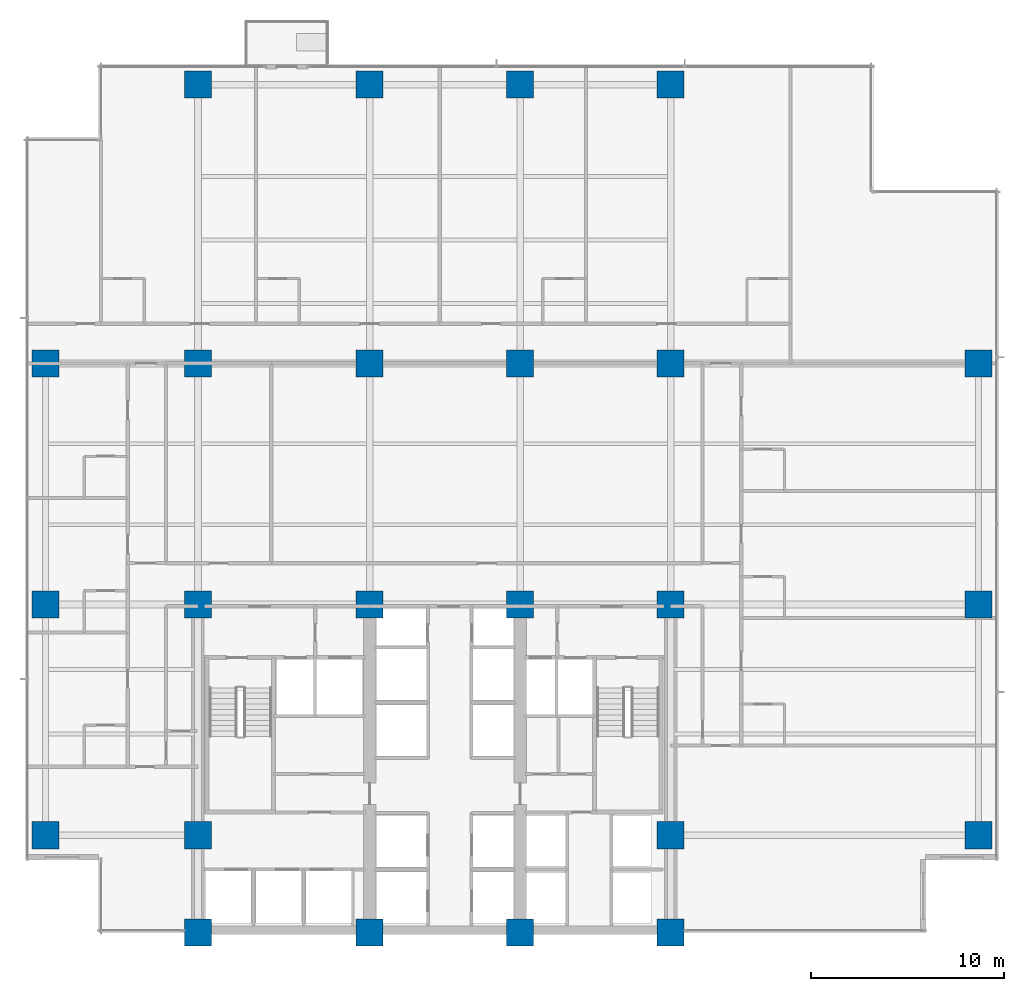
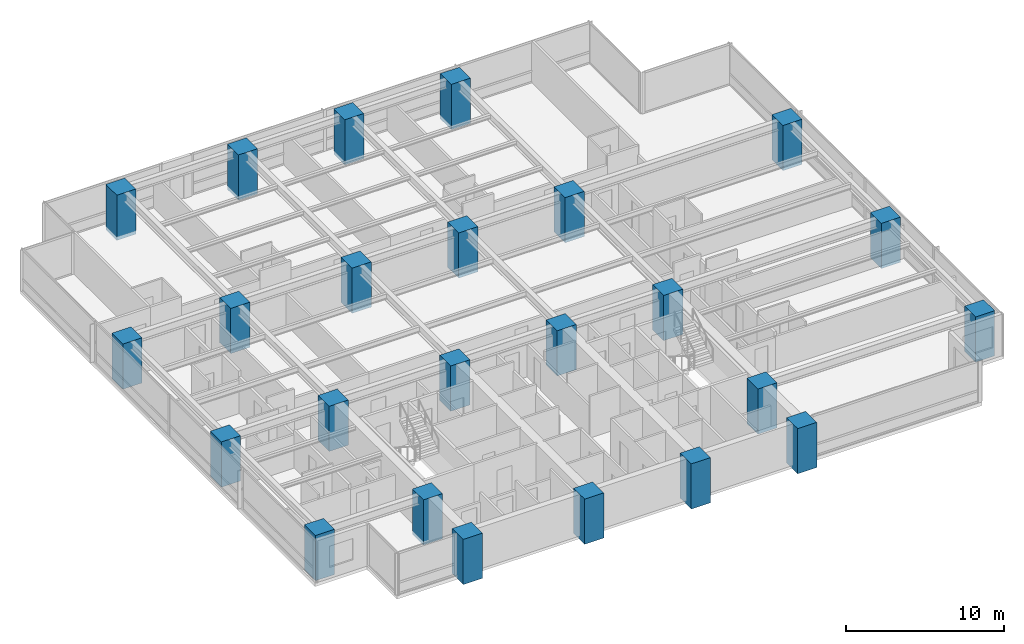
# One storey, part 1 of 17: 24 columns.
"""IFC4 building model written with IfcOpenShell, lengths in metres."""

from ifc_helpers import new_model, si_unit, direction, frame, origin, origin_2d, place, context, subcontext, project, spatial, rectangle, extrude, material, material_profile, profile_set, type_object, element, save


model = new_model("IFC4")

# Units and contexts
model_context = context("Model", 3, precision=1e-05, world=origin(), true_north=direction((0.0, 1.0)))
body_context = subcontext(model_context, "Body", "Model", "MODEL_VIEW")
ifc_project = project(units=[si_unit("LENGTHUNIT", "METRE"), si_unit("AREAUNIT", "SQUARE_METRE"), si_unit("VOLUMEUNIT", "CUBIC_METRE"), si_unit("PLANEANGLEUNIT", "RADIAN"), si_unit("MASSUNIT", "GRAM", prefix="KILO")], contexts=[model_context])

# Site, building, storey
site_placement = place(None, origin())
site = spatial("IfcSite", under=ifc_project, at=site_placement, CompositionType="ELEMENT")
building_placement = place(site_placement, origin())
building = spatial("IfcBuilding", under=site, at=building_placement, Name="Qalmaran Belvedere Hotel", CompositionType="ELEMENT")
storey_placement = place(building_placement, frame((0.0, 0.0, 68.39990234375)))
storey = spatial("IfcBuildingStorey", under=building, at=storey_placement, Name="L17", CompositionType="ELEMENT", Elevation=68.39990234375)

# Columns
ifc_material = material(Name="Concrete C60/75", Category="concrete")
ifc_material_profile = material_profile(ifc_material, rectangle(XDim=1.39990234375, YDim=1.39990234375, at=origin_2d()), Name="CC1400X1400")
ifc_profile_set = profile_set([ifc_material_profile], Name="Concrete C60/75")
column_type = type_object("IfcColumnType", Name="COL-Z1-CC1400", PredefinedType="COLUMN", material=ifc_profile_set)
for number, where, z_axis, x_axis, name in (
    (1, (20.300048828125, 3.5, -0.27978515625), (0.0, 0.0, 1.0), (1.0, 0.0, 0.0), "L17 Column C4B"),
    (2, (29.199951171875, 3.5, -0.27978515625), (0.0, 0.0, 1.0), (1.0, 0.0, 0.0), "L17 Column C5B"),
    (3, (37.0, 3.5, -0.27978515625), (0.0, 0.0, 1.0), (1.0, 0.0, 0.0), "L17 Column C6B"),
    (4, (44.800048828125, 3.5, -0.27978515625), (0.0, 0.0, 1.0), (1.0, 0.0, 0.0), "L17 Column C7B"),
    (5, (20.300048828125, 8.550048828125, -0.27978515625), (0.0, 0.0, 1.0), (1.0, 0.0, 0.0), "L17 Column C4C"),
    (6, (44.800048828125, 8.550048828125, -0.27978515625), (0.0, 0.0, 1.0), (1.0, 0.0, 0.0), "L17 Column C7C"),
    (7, (20.300048828125, 20.5, -0.27978515625), (0.0, 0.0, 1.0), (1.0, 0.0, 0.0), "L17 Column C4D"),
    (8, (29.199951171875, 20.5, -0.27978515625), (0.0, 0.0, 1.0), (1.0, 0.0, 0.0), "L17 Column C5D"),
    (9, (37.0, 20.5, -0.27978515625), (0.0, 0.0, 1.0), (1.0, 0.0, 0.0), "L17 Column C6D"),
    (10, (44.800048828125, 20.5, -0.27978515625), (0.0, 0.0, 1.0), (1.0, 0.0, 0.0), "L17 Column C7D"),
    (11, (20.300048828125, 33.0, -0.27978515625), (0.0, 0.0, 1.0), (1.0, 0.0, 0.0), "L17 Column C4F"),
    (12, (29.199951171875, 33.0, -0.27978515625), (0.0, 0.0, 1.0), (1.0, 0.0, 0.0), "L17 Column C5F"),
    (13, (37.0, 33.0, -0.27978515625), (0.0, 0.0, 1.0), (1.0, 0.0, 0.0), "L17 Column C6F"),
    (14, (44.800048828125, 33.0, -0.27978515625), (0.0, 0.0, 1.0), (1.0, 0.0, 0.0), "L17 Column C7F"),
    (15, (12.39990234375, 8.550048828125, -0.27978515625), (0.0, 0.0, 1.0), (1.0, 0.0, 0.0), "L17 Column CW1"),
    (16, (12.39990234375, 20.5, -0.27978515625), (0.0, 0.0, 1.0), (1.0, 0.0, 0.0), "L17 Column CW3"),
    (17, (12.39990234375, 33.0, -0.27978515625), (0.0, 0.0, 1.0), (1.0, 0.0, 0.0), "L17 Column CW4"),
    (18, (60.75, 8.550048828125, -0.27978515625), (0.0, 0.0, 1.0), (1.0, 0.0, 0.0), "L17 Column CE1"),
    (19, (60.75, 20.5, -0.27978515625), (0.0, 0.0, 1.0), (1.0, 0.0, 0.0), "L17 Column CE3"),
    (20, (60.75, 33.0, -0.27978515625), (0.0, 0.0, 1.0), (1.0, 0.0, 0.0), "L17 Column CE4"),
    (21, (20.300048828125, 47.449951171875, -0.27978515625), (0.0, 0.0, 1.0), (1.0, 0.0, 0.0), "L17 Column CN1"),
    (22, (29.199951171875, 47.449951171875, -0.27978515625), (0.0, 0.0, 1.0), (1.0, 0.0, 0.0), "L17 Column CN2"),
    (23, (37.0, 47.449951171875, -0.27978515625), (0.0, 0.0, 1.0), (1.0, 0.0, 0.0), "L17 Column CN3"),
    (24, (44.800048828125, 47.449951171875, -0.27978515625), (0.0, 0.0, 1.0), (1.0, 0.0, 0.0), "L17 Column CN4"),
):
    element("IfcColumn", number, at=place(storey_placement, frame(where, z_axis=z_axis, x_axis=x_axis)), inside=storey, type_object=column_type, Name=name, PredefinedType="COLUMN", context=body_context, shape_type="SweptSolid", body=[
        extrude(rectangle(XDim=1.39990234375, YDim=1.39990234375, at=origin_2d()), origin(), (0.0, 0.0, 1.0), 3.5),
    ])

save(model, "model.ifc")
